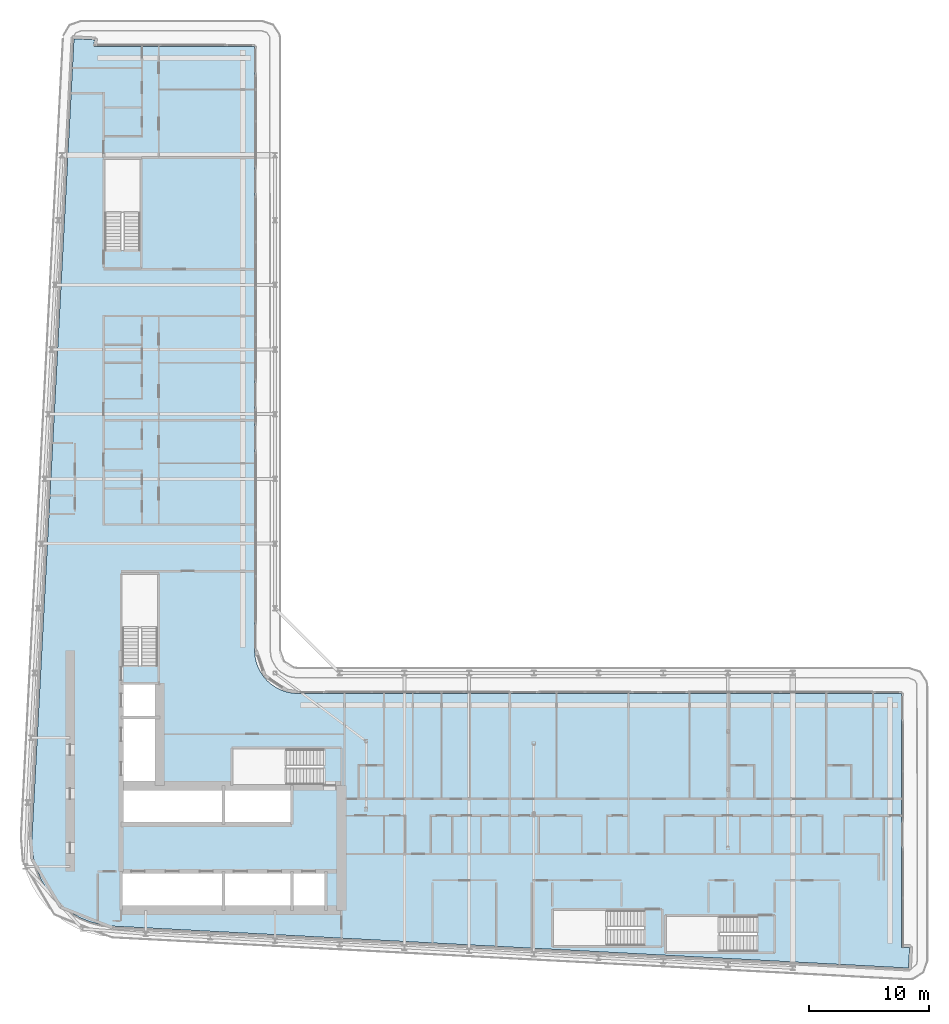
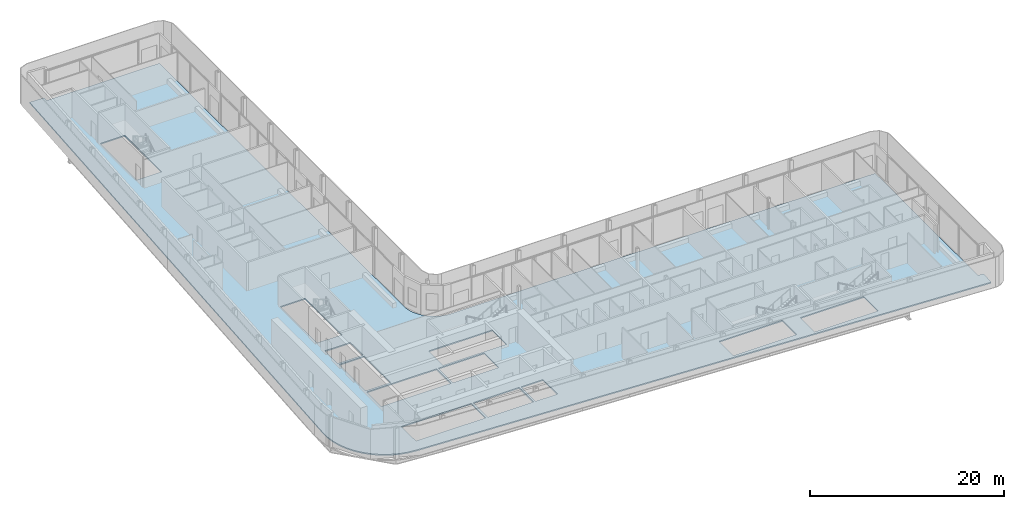
# One storey, part 13 of 30: 1 slab.
"""IFC4 building model written with IfcOpenShell, lengths in metres."""

from ifc_helpers import new_model, si_unit, direction, frame, origin, place, context, subcontext, project, spatial, polyline, outline, extrude, material, layer, layer_set, type_object, element, save


model = new_model("IFC4")

# Units and contexts
model_context = context("Model", 3, precision=1e-05, world=origin(), true_north=direction((0.0, 1.0)))
body_context = subcontext(model_context, "Body", "Model", "MODEL_VIEW")
ifc_project = project(units=[si_unit("LENGTHUNIT", "METRE"), si_unit("AREAUNIT", "SQUARE_METRE"), si_unit("VOLUMEUNIT", "CUBIC_METRE"), si_unit("PLANEANGLEUNIT", "RADIAN"), si_unit("MASSUNIT", "GRAM", prefix="KILO")], contexts=[model_context])

# Site, building, storey
site_placement = place(None, origin())
site = spatial("IfcSite", under=ifc_project, at=site_placement, CompositionType="ELEMENT")
building_placement = place(site_placement, origin())
building = spatial("IfcBuilding", under=site, at=building_placement, Name="Kheshtan School and Residences Tower", CompositionType="ELEMENT")
storey_placement = place(building_placement, frame((0.0, 0.0, 199.39990234375)))
storey = spatial("IfcBuildingStorey", under=building, at=storey_placement, Name="L47", CompositionType="ELEMENT", Elevation=199.39990234375)

# Slab
ifc_material = material(Name="Concrete C40/50", Category="concrete")
ifc_layer = layer(ifc_material, 0.14990234375)
ifc_layer_set = layer_set([ifc_layer], Name="Floor slab 150 Concrete C40/50")
slab_type = type_object("IfcSlabType", Name="Floor slab 150 Concrete C40/50", PredefinedType="FLOOR", material=ifc_layer_set)
slab_placement = place(storey_placement, frame((0.0, 0.0, -0.14990234375)))
element("IfcSlab", 1, at=slab_placement, inside=storey, type_object=slab_type, Name="Floor slab L47", PredefinedType="FLOOR", context=body_context, shape_type="SweptSolid", body=[
    extrude(outline(polyline([(27.718017578125, 29.200927734375), (27.466064453125, 30.093017578125), (27.466064453125, 30.093994140625), (27.3330078125, 31.013916015625), (27.320068359375, 31.965087890625), (27.320068359375, 31.970947265625), (30.822021484375, 98.5009765625), (30.822998046875, 98.508056640625), (30.825927734375, 98.531005859375), (30.825927734375, 98.531982421875), (30.826904296875, 98.531982421875), (31.422119140625, 98.5), (31.423095703125, 98.5), (31.423095703125, 98.4990234375), (31.423095703125, 98.4951171875), (31.423095703125, 98.493896484375), (31.424072265625, 98.493896484375), (31.424072265625, 98.492919921875), (31.425048828125, 98.492919921875), (31.426025390625, 98.492919921875), (31.426025390625, 98.493896484375), (31.427978515625, 98.49609375), (31.428955078125, 98.4970703125), (31.429931640625, 98.498046875), (31.430908203125, 98.498046875), (31.430908203125, 98.4990234375), (31.431884765625, 98.4990234375), (31.431884765625, 98.5), (31.43505859375, 98.5009765625), (31.43603515625, 98.501953125), (31.43896484375, 98.501953125), (31.43994140625, 98.501953125), (31.43994140625, 98.5029296875), (31.44091796875, 98.5029296875), (31.446044921875, 98.5029296875), (32.5009765625, 98.447021484375), (32.50390625, 98.447021484375), (32.5048828125, 98.447021484375), (32.5048828125, 98.446044921875), (32.506103515625, 98.446044921875), (32.510009765625, 98.446044921875), (32.510009765625, 98.445068359375), (32.510986328125, 98.445068359375), (32.510986328125, 98.444091796875), (32.511962890625, 98.444091796875), (32.511962890625, 98.443115234375), (32.512939453125, 98.443115234375), (32.513916015625, 98.443115234375), (32.513916015625, 98.44189453125), (32.514892578125, 98.44189453125), (32.51611328125, 98.44189453125), (32.51904296875, 98.43896484375), (32.51904296875, 98.43798828125), (32.51904296875, 98.43701171875), (32.52001953125, 98.43701171875), (32.52001953125, 98.43603515625), (32.52099609375, 98.43603515625), (32.52099609375, 98.43408203125), (32.52099609375, 98.43310546875), (32.52197265625, 98.43310546875), (32.52197265625, 98.431884765625), (32.52294921875, 98.431884765625), (32.52294921875, 98.430908203125), (32.52294921875, 98.428955078125), (32.52294921875, 98.427978515625), (32.52392578125, 98.427978515625), (32.52392578125, 98.427001953125), (32.52392578125, 98.422119140625), (32.4970703125, 97.9208984375), (32.4970703125, 97.91796875), (32.4970703125, 97.9169921875), (32.49609375, 97.9169921875), (32.49609375, 97.916015625), (32.49609375, 97.912109375), (32.4951171875, 97.910888671875), (32.4951171875, 97.909912109375), (32.493896484375, 97.909912109375), (32.493896484375, 97.908935546875), (32.492919921875, 97.908935546875), (32.492919921875, 97.907958984375), (32.489013671875, 97.904052734375), (32.488037109375, 97.904052734375), (32.488037109375, 97.903076171875), (32.488037109375, 97.902099609375), (32.488037109375, 97.90087890625), (32.489013671875, 97.90087890625), (32.489013671875, 97.89990234375), (32.489990234375, 97.89990234375), (45.85498046875, 97.89990234375), (45.864990234375, 97.89794921875), (45.865966796875, 97.89794921875), (45.868896484375, 97.89599609375), (45.8740234375, 97.89404296875), (45.8779296875, 97.89208984375), (45.881103515625, 97.889892578125), (45.881103515625, 97.888916015625), (45.882080078125, 97.888916015625), (45.882080078125, 97.887939453125), (45.883056640625, 97.887939453125), (45.884033203125, 97.885009765625), (45.885009765625, 97.885009765625), (45.885009765625, 97.884033203125), (45.887939453125, 97.883056640625), (45.887939453125, 97.882080078125), (45.888916015625, 97.882080078125), (45.888916015625, 97.881103515625), (45.889892578125, 97.881103515625), (45.89208984375, 97.8779296875), (45.89404296875, 97.8740234375), (45.89599609375, 97.868896484375), (45.89794921875, 97.865966796875), (45.89794921875, 97.864990234375), (45.89990234375, 97.85498046875), (45.89990234375, 47.429931640625), (45.927001953125, 47.030029296875), (46.01806640625, 46.570068359375), (46.01806640625, 46.569091796875), (46.169921875, 46.1201171875), (46.37890625, 45.697021484375), (46.638916015625, 45.30810546875), (46.949951171875, 44.950927734375), (46.950927734375, 44.949951171875), (47.30810546875, 44.638916015625), (47.697021484375, 44.37890625), (48.1201171875, 44.169921875), (48.569091796875, 44.01806640625), (48.570068359375, 44.01806640625), (49.030029296875, 43.927001953125), (49.429931640625, 43.89990234375), (99.85498046875, 43.89990234375), (99.864990234375, 43.89794921875), (99.865966796875, 43.89794921875), (99.868896484375, 43.89599609375), (99.8740234375, 43.89404296875), (99.8779296875, 43.89208984375), (99.881103515625, 43.889892578125), (99.881103515625, 43.888916015625), (99.882080078125, 43.888916015625), (99.882080078125, 43.887939453125), (99.883056640625, 43.887939453125), (99.884033203125, 43.885009765625), (99.885009765625, 43.885009765625), (99.885009765625, 43.884033203125), (99.887939453125, 43.883056640625), (99.887939453125, 43.882080078125), (99.888916015625, 43.882080078125), (99.888916015625, 43.881103515625), (99.889892578125, 43.881103515625), (99.89208984375, 43.8779296875), (99.89404296875, 43.8740234375), (99.89599609375, 43.868896484375), (99.89794921875, 43.865966796875), (99.89794921875, 43.864990234375), (99.89990234375, 43.85498046875), (99.89990234375, 22.708984375), (99.89990234375, 22.7080078125), (99.90087890625, 22.7080078125), (99.90087890625, 22.70703125), (99.902099609375, 22.70703125), (99.903076171875, 22.70703125), (99.903076171875, 22.7080078125), (99.905029296875, 22.7099609375), (99.906982421875, 22.7119140625), (99.907958984375, 22.7119140625), (99.907958984375, 22.712890625), (99.908935546875, 22.712890625), (99.908935546875, 22.714111328125), (99.909912109375, 22.714111328125), (99.912109375, 22.715087890625), (99.9130859375, 22.716064453125), (99.916015625, 22.716064453125), (99.9169921875, 22.716064453125), (99.9169921875, 22.717041015625), (99.91796875, 22.717041015625), (99.923095703125, 22.717041015625), (100.5380859375, 22.68408203125), (100.541015625, 22.68408203125), (100.5419921875, 22.68408203125), (100.5419921875, 22.68310546875), (100.54296875, 22.68310546875), (100.547119140625, 22.68310546875), (100.547119140625, 22.681884765625), (100.548095703125, 22.681884765625), (100.548095703125, 22.680908203125), (100.549072265625, 22.680908203125), (100.549072265625, 22.679931640625), (100.550048828125, 22.679931640625), (100.551025390625, 22.679931640625), (100.551025390625, 22.678955078125), (100.552001953125, 22.678955078125), (100.552978515625, 22.678955078125), (100.552978515625, 22.677978515625), (100.554931640625, 22.676025390625), (100.555908203125, 22.676025390625), (100.555908203125, 22.675048828125), (100.555908203125, 22.674072265625), (100.556884765625, 22.674072265625), (100.556884765625, 22.673095703125), (100.55810546875, 22.673095703125), (100.55810546875, 22.6708984375), (100.55810546875, 22.669921875), (100.55908203125, 22.669921875), (100.55908203125, 22.6689453125), (100.56005859375, 22.6689453125), (100.56005859375, 22.66796875), (100.56005859375, 22.666015625), (100.56005859375, 22.6650390625), (100.56103515625, 22.6650390625), (100.56103515625, 22.6640625), (100.56103515625, 22.658935546875), (100.5048828125, 21.60205078125), (100.5048828125, 21.59912109375), (100.5048828125, 21.597900390625), (100.50390625, 21.597900390625), (100.50390625, 21.596923828125), (100.50390625, 21.593017578125), (100.5029296875, 21.592041015625), (100.5029296875, 21.591064453125), (100.501953125, 21.591064453125), (100.501953125, 21.590087890625), (100.5009765625, 21.590087890625), (100.5009765625, 21.589111328125), (100.5, 21.587890625), (100.498046875, 21.5859375), (100.4970703125, 21.5849609375), (100.49609375, 21.5849609375), (100.49609375, 21.583984375), (100.49609375, 21.5830078125), (100.49609375, 21.58203125), (100.4970703125, 21.58203125), (100.4970703125, 21.5810546875), (100.498046875, 21.5810546875), (100.4990234375, 21.5810546875), (100.5, 21.5810546875), (100.5, 21.580078125), (100.468017578125, 20.985107421875), (100.468017578125, 20.98388671875), (100.467041015625, 20.98388671875), (100.443115234375, 20.98291015625), (100.43798828125, 20.98291015625), (34.056884765625, 24.47802734375), (33.114990234375, 24.590087890625), (32.215087890625, 24.819091796875), (32.214111328125, 24.819091796875), (31.35205078125, 25.1630859375), (30.541015625, 25.616943359375), (29.799072265625, 26.1708984375), (29.799072265625, 26.172119140625), (29.798095703125, 26.172119140625), (29.134033203125, 26.820068359375), (29.134033203125, 26.821044921875), (29.133056640625, 26.821044921875), (28.55908203125, 27.550048828125), (28.0849609375, 28.345947265625), (27.718017578125, 29.200927734375)]), holes=[polyline([(99.89990234375, 21.5869140625), (99.89990234375, 21.5830078125), (99.89990234375, 21.58203125), (99.90087890625, 21.58203125), (99.90087890625, 21.5810546875), (99.902099609375, 21.5810546875), (99.906005859375, 21.5810546875), (99.906982421875, 21.5810546875), (99.906982421875, 21.58203125), (99.907958984375, 21.58203125), (99.907958984375, 21.5830078125), (99.907958984375, 21.583984375), (99.906982421875, 21.583984375), (99.905029296875, 21.5859375), (99.904052734375, 21.5869140625), (99.903076171875, 21.587890625), (99.903076171875, 21.589111328125), (99.902099609375, 21.589111328125), (99.90087890625, 21.589111328125), (99.90087890625, 21.587890625), (99.89990234375, 21.587890625), (99.89990234375, 21.5869140625)]), polyline([(31.423095703125, 97.906005859375), (31.423095703125, 97.902099609375), (31.423095703125, 97.90087890625), (31.424072265625, 97.90087890625), (31.424072265625, 97.89990234375), (31.425048828125, 97.89990234375), (31.428955078125, 97.89990234375), (31.429931640625, 97.89990234375), (31.429931640625, 97.90087890625), (31.430908203125, 97.90087890625), (31.430908203125, 97.902099609375), (31.430908203125, 97.903076171875), (31.429931640625, 97.903076171875), (31.428955078125, 97.904052734375), (31.427978515625, 97.905029296875), (31.427001953125, 97.906005859375), (31.426025390625, 97.906982421875), (31.426025390625, 97.907958984375), (31.425048828125, 97.907958984375), (31.424072265625, 97.907958984375), (31.424072265625, 97.906982421875), (31.423095703125, 97.906982421875), (31.423095703125, 97.906005859375)]), polyline([(34.875, 28.925048828125), (34.875, 25.925048828125), (43.175048828125, 25.925048828125), (43.175048828125, 28.925048828125), (34.875, 28.925048828125)]), polyline([(43.175048828125, 36.074951171875), (34.875, 36.074951171875), (34.875, 33.074951171875), (43.175048828125, 33.074951171875), (43.175048828125, 36.074951171875)]), polyline([(34.875, 41.77490234375), (34.875, 36.324951171875), (37.875, 36.324951171875), (37.875, 41.77490234375), (34.875, 41.77490234375)]), polyline([(34.875, 42.02490234375), (37.875, 42.02490234375), (37.875, 44.625), (34.875, 44.625), (34.875, 42.02490234375)]), polyline([(37.800048828125, 46.25), (37.800048828125, 53.81005859375), (34.85009765625, 53.81005859375), (34.85009765625, 46.260009765625), (36.25, 46.260009765625), (36.25, 46.25), (37.800048828125, 46.25)]), polyline([(33.39990234375, 88.4599609375), (33.39990234375, 80.909912109375), (34.800048828125, 80.909912109375), (34.800048828125, 80.89990234375), (36.35009765625, 80.89990234375), (36.35009765625, 88.4599609375), (33.39990234375, 88.4599609375)]), polyline([(87.81005859375, 22.35009765625), (87.81005859375, 23.75), (87.820068359375, 23.75), (87.820068359375, 25.300048828125), (80.260009765625, 25.300048828125), (80.260009765625, 22.35009765625), (87.81005859375, 22.35009765625)]), polyline([(70.85009765625, 22.85009765625), (78.39990234375, 22.85009765625), (78.39990234375, 24.25), (78.409912109375, 24.25), (78.409912109375, 25.800048828125), (70.85009765625, 25.800048828125), (70.85009765625, 22.85009765625)]), polyline([(43.425048828125, 25.925048828125), (48.875, 25.925048828125), (48.875, 28.925048828125), (43.425048828125, 28.925048828125), (43.425048828125, 25.925048828125)]), polyline([(49.125, 25.925048828125), (51.72509765625, 25.925048828125), (51.72509765625, 28.925048828125), (49.125, 28.925048828125), (49.125, 25.925048828125)]), polyline([(43.425048828125, 33.074951171875), (48.875, 33.074951171875), (48.875, 36.074951171875), (43.425048828125, 36.074951171875), (43.425048828125, 33.074951171875)]), polyline([(51.64990234375, 39.25), (44.090087890625, 39.25), (44.090087890625, 36.300048828125), (51.639892578125, 36.300048828125), (51.639892578125, 37.699951171875), (51.64990234375, 37.699951171875), (51.64990234375, 39.25)])]), origin(), (0.0, 0.0, 1.0), 0.14990234375),
])

save(model, "model.ifc")
